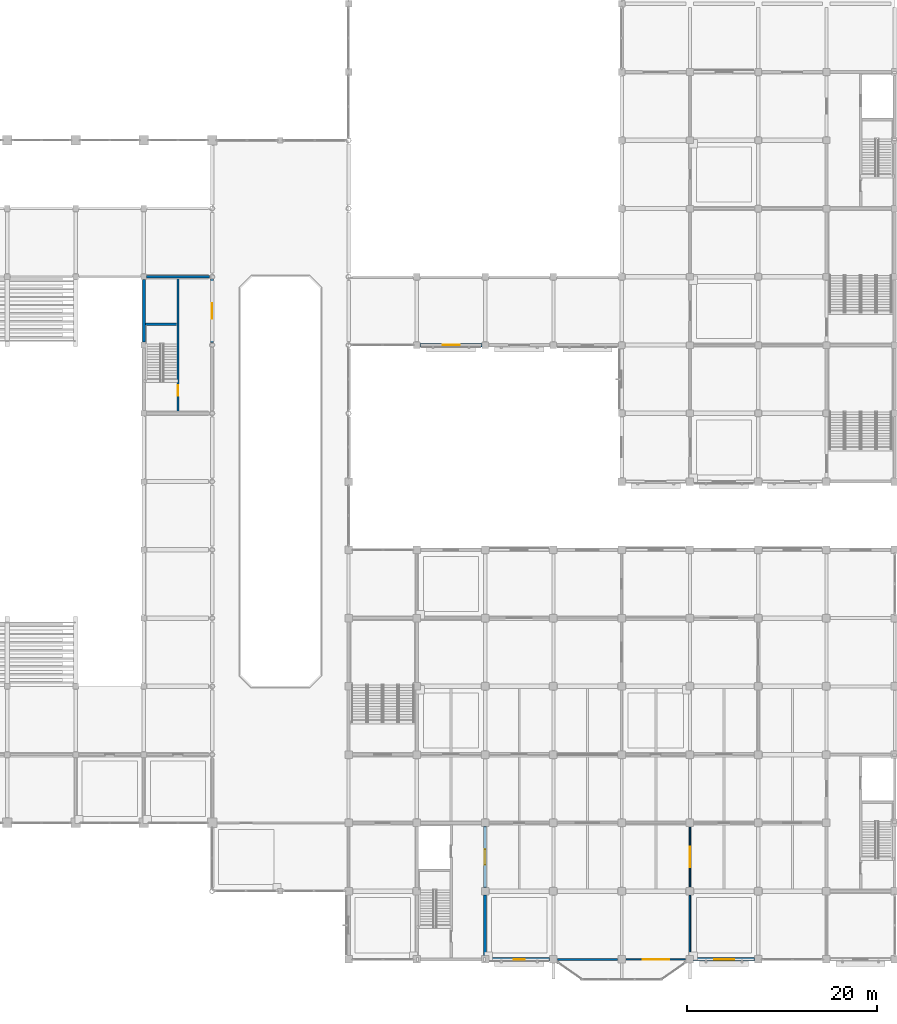
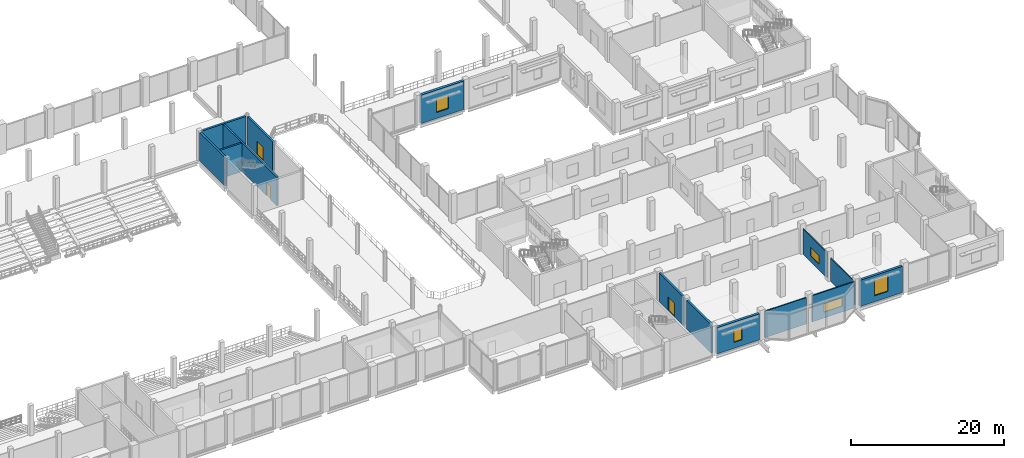
# One storey, part 68 of 99: 14 walls, 5 windows, 3 doors, 8 openings.
"""IFC4 building model written with IfcOpenShell, lengths in metres."""

from ifc_helpers import new_model, si_unit, direction, frame, frame_2d, origin, place, context, subcontext, project, spatial, rectangle, extrude, material, layer, layer_set, type_object, element, fill, save


model = new_model("IFC4")

# Units and contexts
model_context = context("Model", 3, precision=1e-05, world=origin(), true_north=direction((0.0, 1.0)))
body_context = subcontext(model_context, "Body", "Model", "MODEL_VIEW")
ifc_project = project(units=[si_unit("LENGTHUNIT", "METRE"), si_unit("AREAUNIT", "SQUARE_METRE"), si_unit("VOLUMEUNIT", "CUBIC_METRE"), si_unit("PLANEANGLEUNIT", "RADIAN"), si_unit("MASSUNIT", "GRAM", prefix="KILO")], contexts=[model_context])

# Site, building, storey
site_placement = place(None, origin())
site = spatial("IfcSite", under=ifc_project, at=site_placement, CompositionType="ELEMENT")
building_placement = place(site_placement, origin())
building = spatial("IfcBuilding", under=site, at=building_placement, Name="Vesperath Aquatics Centre", CompositionType="ELEMENT")
storey_placement = place(building_placement, frame((0.0, 0.0, 5.39990234375)))
storey = spatial("IfcBuildingStorey", under=building, at=storey_placement, Name="L01", CompositionType="ELEMENT", Elevation=5.39990234375)

# Wall, opening, window
ifc_material_1 = material(Name="Red-terracotta brick insulated cavity wall", Category="masonry")
ifc_layer_1 = layer(ifc_material_1, 0.3798828125)
ifc_layer_set_1 = layer_set([ifc_layer_1], Name="Red-terracotta brick insulated cavity wall")
wall_type_1 = type_object("IfcWallType", Name="WL-EW02", PredefinedType="SOLIDWALL", material=ifc_layer_set_1)
wall_1_placement = place(storey_placement, frame((122.75, 64.800048828125, 0.0), z_axis=(0.0, 0.0, 1.0), x_axis=(1.0, 0.0, 0.0)))
wall_1 = element("IfcWall", 1, at=wall_1_placement, inside=storey, type_object=wall_type_1, Name="Exterior Wall EW02 L01_S_17_09", PredefinedType="SOLIDWALL", context=body_context, shape_type="SweptSolid", body=[
    extrude(rectangle(XDim=6.5, YDim=0.3798828125, at=frame_2d((3.25, 0.0))), origin(), (0.0, 0.0, 1.0), 4.5400390625),
])
opening_1_placement = place(wall_1_placement, frame((2.35009765625, 0.0, 0.949951171875)))
opening_1 = element("IfcOpeningElement", 2, at=opening_1_placement, cuts=wall_1, Name="Opening W03", PredefinedType="OPENING", context=body_context, shape_type="SweptSolid", body=[
    extrude(rectangle(XDim=1.800048828125, YDim=2.199951171875, at=frame_2d((0.89990234375, 1.10009765625))), frame((0.0, 0.204833984375, 0.0), z_axis=(0.0, -1.0, 0.0), x_axis=(1.0, 0.0, 0.0)), (0.0, 0.0, 1.0), 0.40966796875),
])
ifc_material_2 = material(Name="Thermally broken aluminium triple-glazed window", Category="aluminium")
window_type_1 = type_object("IfcWindowType", Name="WN-W03", PartitioningType="SINGLE_PANEL", PredefinedType="WINDOW", material=ifc_material_2)
window_1_placement = place(opening_1_placement, origin())
window_1 = element("IfcWindow", 3, at=window_1_placement, inside=storey, type_object=window_type_1, Name="Deep-Reveal Casement Window W03 L01_S_17_09", OverallHeight=2.199951171875, OverallWidth=1.800048828125, PartitioningType="SINGLE_PANEL", PredefinedType="WINDOW", context=body_context, shape_type="SweptSolid", body=[
    extrude(rectangle(XDim=1.800048828125, YDim=2.199951171875, at=frame_2d((0.89990234375, 1.10009765625))), frame((0.0, 0.030029296875, 0.0), z_axis=(0.0, -1.0, 0.0), x_axis=(1.0, 0.0, 0.0)), (0.0, 0.0, 1.0), 0.06005859375),
])
fill(opening_1, window_1)

ifc_material_3 = material(Name="Glazed majolica and brick insulated cavity wall", Category="masonry")
ifc_layer_2 = layer(ifc_material_3, 0.360107421875)
ifc_layer_set_2 = layer_set([ifc_layer_2], Name="Glazed majolica and brick insulated cavity wall")
wall_type_2 = type_object("IfcWallType", Name="WL-EW03", PredefinedType="SOLIDWALL", material=ifc_layer_set_2)
wall_2_placement = place(storey_placement, frame((130.0, 0.0, 0.0), z_axis=(0.0, 0.0, 1.0), x_axis=(1.0, 0.0, 0.0)))
wall_2 = element("IfcWall", 4, at=wall_2_placement, inside=storey, type_object=wall_type_2, Name="Exterior Wall EW03 L01_S_18_00", PredefinedType="SOLIDWALL", context=body_context, shape_type="SweptSolid", body=[
    extrude(rectangle(XDim=6.39990234375, YDim=0.360107421875, at=frame_2d((3.199951171875, 0.0))), origin(), (0.0, 0.0, 1.0), 4.190185546875),
])
opening_2_placement = place(wall_2_placement, frame((2.60009765625, 0.0, 0.949951171875)))
opening_2 = element("IfcOpeningElement", 5, at=opening_2_placement, cuts=wall_2, Name="Opening W09", PredefinedType="OPENING", context=body_context, shape_type="SweptSolid", body=[
    extrude(rectangle(XDim=1.199951171875, YDim=2.0, at=frame_2d((0.60009765625, 1.0))), frame((0.0, 0.19482421875, 0.0), z_axis=(0.0, -1.0, 0.0), x_axis=(1.0, 0.0, 0.0)), (0.0, 0.0, 1.0), 0.389892578125),
])
window_type_2 = type_object("IfcWindowType", Name="WN-W09", PartitioningType="SINGLE_PANEL", PredefinedType="WINDOW", material=ifc_material_2)
window_2_placement = place(opening_2_placement, origin())
window_2 = element("IfcWindow", 6, at=window_2_placement, inside=storey, type_object=window_type_2, Name="Deep-Reveal Casement Window W09 L01_S_18_00", OverallHeight=2.0, OverallWidth=1.199951171875, PartitioningType="SINGLE_PANEL", PredefinedType="WINDOW", context=body_context, shape_type="SweptSolid", body=[
    extrude(rectangle(XDim=1.199951171875, YDim=2.0, at=frame_2d((0.60009765625, 1.0))), frame((0.0, 0.030029296875, 0.0), z_axis=(0.0, -1.0, 0.0), x_axis=(1.0, 0.0, 0.0)), (0.0, 0.0, 1.0), 0.06005859375),
])
fill(opening_2, window_2)

wall_3_placement = place(storey_placement, frame((151.60009765625, 0.0, 0.0), z_axis=(0.0, 0.0, 1.0), x_axis=(1.0, 0.0, 0.0)))
wall_3 = element("IfcWall", 7, at=wall_3_placement, inside=storey, type_object=wall_type_2, Name="Exterior Wall EW03 L01_S_21_00", PredefinedType="SOLIDWALL", context=body_context, shape_type="SweptSolid", body=[
    extrude(rectangle(XDim=6.39990234375, YDim=0.360107421875, at=frame_2d((3.199951171875, 0.0))), origin(), (0.0, 0.0, 1.0), 4.190185546875),
])
opening_3_placement = place(wall_3_placement, frame((2.14990234375, 0.0, 0.949951171875)))
opening_3 = element("IfcOpeningElement", 8, at=opening_3_placement, cuts=wall_3, Name="Opening W02", PredefinedType="OPENING", context=body_context, shape_type="SweptSolid", body=[
    extrude(rectangle(XDim=2.10009765625, YDim=2.64990234375, at=frame_2d((1.050048828125, 1.324951171875))), frame((0.0, 0.19482421875, 0.0), z_axis=(0.0, -1.0, 0.0), x_axis=(1.0, 0.0, 0.0)), (0.0, 0.0, 1.0), 0.389892578125),
])
window_type_3 = type_object("IfcWindowType", Name="WN-W02", PartitioningType="SINGLE_PANEL", PredefinedType="WINDOW", material=ifc_material_2)
window_3_placement = place(opening_3_placement, origin())
window_3 = element("IfcWindow", 9, at=window_3_placement, inside=storey, type_object=window_type_3, Name="Deep-Reveal Casement Window W02 L01_S_21_00", OverallHeight=2.64990234375, OverallWidth=2.10009765625, PartitioningType="SINGLE_PANEL", PredefinedType="WINDOW", context=body_context, shape_type="SweptSolid", body=[
    extrude(rectangle(XDim=2.10009765625, YDim=2.64990234375, at=frame_2d((1.050048828125, 1.324951171875))), frame((0.0, 0.030029296875, 0.0), z_axis=(0.0, -1.0, 0.0), x_axis=(1.0, 0.0, 0.0)), (0.0, 0.0, 1.0), 0.06005859375),
])
fill(opening_3, window_3)

# Wall
ifc_material_4 = material(Name="Double-stud acoustic studio partition", Category="gypsum")
ifc_layer_3 = layer(ifc_material_4, 0.18505859375)
ifc_layer_set_3 = layer_set([ifc_layer_3], Name="Double-stud acoustic studio partition")
wall_type_3 = type_object("IfcWallType", Name="WL-IW01", PredefinedType="PARTITIONING", material=ifc_layer_set_3)
wall_4_placement = place(storey_placement, frame((137.25, 0.0, 0.0), z_axis=(0.0, 0.0, 1.0), x_axis=(1.0, 0.0, 0.0)))
element("IfcWall", 10, at=wall_4_placement, inside=storey, type_object=wall_type_3, Name="Interior Partition IW01 L01_PHYSIO_1-S1", PredefinedType="PARTITIONING", context=body_context, shape_type="SweptSolid", body=[
    extrude(rectangle(XDim=6.300048828125, YDim=0.18505859375, at=frame_2d((3.14990234375, 0.0))), origin(), (0.0, 0.0, 1.0), 4.190185546875),
])

# Wall, opening, window
ifc_material_5 = material(Name="Moisture-resistant tiled wet partition", Category="gypsum")
ifc_layer_4 = layer(ifc_material_5, 0.175048828125)
ifc_layer_set_4 = layer_set([ifc_layer_4], Name="Moisture-resistant tiled wet partition")
wall_type_4 = type_object("IfcWallType", Name="WL-IW02", PredefinedType="PARTITIONING", material=ifc_layer_set_4)
wall_5_placement = place(storey_placement, frame((144.449951171875, 0.0, 0.0), z_axis=(0.0, 0.0, 1.0), x_axis=(1.0, 0.0, 0.0)))
wall_5 = element("IfcWall", 11, at=wall_5_placement, inside=storey, type_object=wall_type_4, Name="Interior Partition IW02 L01_PHYSIO_1-S2", PredefinedType="PARTITIONING", context=body_context, shape_type="SweptSolid", body=[
    extrude(rectangle(XDim=6.300048828125, YDim=0.175048828125, at=frame_2d((3.14990234375, 0.0))), origin(), (0.0, 0.0, 1.0), 4.190185546875),
])
opening_4_placement = place(wall_5_placement, frame((1.75, 0.0, 0.949951171875)))
opening_4 = element("IfcOpeningElement", 12, at=opening_4_placement, cuts=wall_5, Name="Opening VW05", PredefinedType="OPENING", context=body_context, shape_type="SweptSolid", body=[
    extrude(rectangle(XDim=2.800048828125, YDim=1.35009765625, at=frame_2d((1.39990234375, 0.675048828125))), frame((0.0, 0.1025390625, 0.0), z_axis=(0.0, -1.0, 0.0), x_axis=(1.0, 0.0, 0.0)), (0.0, 0.0, 1.0), 0.204833984375),
])
ifc_material_6 = material(Name="Acoustic laminated interior viewing glazing", Category="glass")
window_type_4 = type_object("IfcWindowType", Name="WN-IW05", PartitioningType="SINGLE_PANEL", PredefinedType="WINDOW", material=ifc_material_6)
window_4_placement = place(opening_4_placement, origin())
window_4 = element("IfcWindow", 13, at=window_4_placement, inside=storey, type_object=window_type_4, Name="Interior Viewing Window VW05 L01_PHYSIO_1", OverallHeight=1.35009765625, OverallWidth=2.800048828125, PartitioningType="SINGLE_PANEL", PredefinedType="WINDOW", context=body_context, shape_type="SweptSolid", body=[
    extrude(rectangle(XDim=2.800048828125, YDim=1.35009765625, at=frame_2d((1.39990234375, 0.675048828125))), frame((0.0, 0.030029296875, 0.0), z_axis=(0.0, -1.0, 0.0), x_axis=(1.0, 0.0, 0.0)), (0.0, 0.0, 1.0), 0.06005859375),
])
fill(opening_4, window_4)

# Wall
ifc_material_7 = material(Name="Classroom acoustic partition", Category="gypsum")
ifc_layer_5 = layer(ifc_material_7, 0.14501953125)
ifc_layer_set_5 = layer_set([ifc_layer_5], Name="Classroom acoustic partition")
wall_type_5 = type_object("IfcWallType", Name="WL-IW06", PredefinedType="PARTITIONING", material=ifc_layer_set_5)
wall_6_placement = place(storey_placement, frame((151.199951171875, 0.449951171875, 0.0), z_axis=(0.0, 0.0, 1.0), x_axis=(0.0, 1.0, 0.0)))
element("IfcWall", 14, at=wall_6_placement, inside=storey, type_object=wall_type_5, Name="Interior Partition IW06 L01_PHYSIO_1-E1", PredefinedType="PARTITIONING", context=body_context, shape_type="SweptSolid", body=[
    extrude(rectangle(XDim=6.300048828125, YDim=0.14501953125, at=frame_2d((3.14990234375, 0.0))), origin(), (0.0, 0.0, 1.0), 3.739990234375),
])

# Wall, opening, window
ifc_material_8 = material(Name="Changing cubicle masonry-backed partition", Category="masonry")
ifc_layer_6 = layer(ifc_material_8, 0.137939453125)
ifc_layer_set_6 = layer_set([ifc_layer_6], Name="Changing cubicle masonry-backed partition")
wall_type_6 = type_object("IfcWallType", Name="WL-IW07", PredefinedType="PARTITIONING", material=ifc_layer_set_6)
wall_7_placement = place(storey_placement, frame((151.199951171875, 7.64990234375, 0.0), z_axis=(0.0, 0.0, 1.0), x_axis=(0.0, 1.0, 0.0)))
wall_7 = element("IfcWall", 15, at=wall_7_placement, inside=storey, type_object=wall_type_6, Name="Interior Partition IW07 L01_PHYSIO_1-E2", PredefinedType="PARTITIONING", context=body_context, shape_type="SweptSolid", body=[
    extrude(rectangle(XDim=6.300048828125, YDim=0.137939453125, at=frame_2d((3.14990234375, 0.0))), origin(), (0.0, 0.0, 1.0), 4.052001953125),
])
opening_5_placement = place(wall_7_placement, frame((2.050048828125, 0.0, 0.949951171875)))
opening_5 = element("IfcOpeningElement", 16, at=opening_5_placement, cuts=wall_7, Name="Opening VW07", PredefinedType="OPENING", context=body_context, shape_type="SweptSolid", body=[
    extrude(rectangle(XDim=2.199951171875, YDim=1.35009765625, at=frame_2d((1.10009765625, 0.675048828125))), frame((0.0, 0.083984375, 0.0), z_axis=(0.0, -1.0, 0.0), x_axis=(1.0, 0.0, 0.0)), (0.0, 0.0, 1.0), 0.167724609375),
])
window_type_5 = type_object("IfcWindowType", Name="WN-IW07", PartitioningType="SINGLE_PANEL", PredefinedType="WINDOW", material=ifc_material_6)
window_5_placement = place(opening_5_placement, origin())
window_5 = element("IfcWindow", 17, at=window_5_placement, inside=storey, type_object=window_type_5, Name="Interior Viewing Window VW07 L01_PHYSIO_1", OverallHeight=1.35009765625, OverallWidth=2.199951171875, PartitioningType="SINGLE_PANEL", PredefinedType="WINDOW", context=body_context, shape_type="SweptSolid", body=[
    extrude(rectangle(XDim=2.199951171875, YDim=1.35009765625, at=frame_2d((1.10009765625, 0.675048828125))), frame((0.0, 0.030029296875, 0.0), z_axis=(0.0, -1.0, 0.0), x_axis=(1.0, 0.0, 0.0)), (0.0, 0.0, 1.0), 0.06005859375),
])
fill(opening_5, window_5)

# Wall
ifc_material_9 = material(Name="Concrete C40", Category="concrete")
ifc_layer_7 = layer(ifc_material_9, 0.300048828125)
ifc_layer_set_7 = layer_set([ifc_layer_7], Name="Concrete C40")
wall_type_7 = type_object("IfcWallType", Name="WL-SW01", PredefinedType="SHEAR", material=ifc_layer_set_7)
wall_8_placement = place(storey_placement, frame((93.89990234375, 72.0, 0.0), z_axis=(0.0, 0.0, 1.0), x_axis=(1.0, 0.0, 0.0)))
element("IfcWall", 18, at=wall_8_placement, inside=storey, type_object=wall_type_7, Name="Core C8 North Shear Wall SW01 L01", PredefinedType="SHEAR", context=body_context, shape_type="SweptSolid", body=[
    extrude(rectangle(XDim=6.64599609375, YDim=0.300048828125, at=frame_2d((3.322998046875, 0.0))), origin(), (0.0, 0.0, 1.0), 4.5400390625),
])

# Wall, opening, door
wall_9_placement = place(storey_placement, frame((100.800048828125, 65.053955078125, 0.0), z_axis=(0.0, 0.0, 1.0), x_axis=(0.0, 1.0, 0.0)))
wall_9 = element("IfcWall", 19, at=wall_9_placement, inside=storey, type_object=wall_type_7, Name="Core C8 East-2 Shear Wall SW01 L01", PredefinedType="SHEAR", context=body_context, shape_type="SweptSolid", body=[
    extrude(rectangle(XDim=6.692138671875, YDim=0.300048828125, at=frame_2d((3.34619140625, 0.0))), origin(), (0.0, 0.0, 1.0), 4.5400390625),
])
opening_6_placement = place(wall_9_placement, frame((2.5458984375, 0.0, 0.0)))
opening_6 = element("IfcOpeningElement", 20, at=opening_6_placement, cuts=wall_9, Name="Opening D02", PredefinedType="OPENING", context=body_context, shape_type="SweptSolid", body=[
    extrude(rectangle(XDim=1.60009765625, YDim=2.199951171875, at=frame_2d((0.800048828125, 1.10009765625))), frame((0.0, 0.1650390625, 0.0), z_axis=(0.0, -1.0, 0.0), x_axis=(1.0, 0.0, 0.0)), (0.0, 0.0, 1.0), 0.329833984375),
])
ifc_material_10 = material(Name="Glazed fire-rated lobby double door", Category="steel")
door_type_1 = type_object("IfcDoorType", Name="DR-FD02", OperationType="DOUBLE_SWING_LEFT", PredefinedType="DOOR", material=ifc_material_10)
door_1_placement = place(opening_6_placement, frame((1.60009765625, 0.0, 0.0), z_axis=(0.0, 0.0, 1.0), x_axis=(-1.0, 0.0, 0.0)))
door_1 = element("IfcDoor", 21, at=door_1_placement, inside=storey, type_object=door_type_1, Name="Core C8 Lobby Fire Door D02 L01", OperationType="DOUBLE_SWING_LEFT", OverallHeight=2.199951171875, OverallWidth=1.60009765625, PredefinedType="DOOR", context=body_context, shape_type="SweptSolid", body=[
    extrude(rectangle(XDim=1.60009765625, YDim=2.199951171875, at=frame_2d((0.800048828125, 1.10009765625))), frame((0.0, 0.02490234375, 0.0), z_axis=(0.0, -1.0, 0.0), x_axis=(1.0, 0.0, 0.0)), (0.0, 0.0, 1.0), 0.050048828125),
])
fill(opening_6, door_1)

# Wall
wall_10_placement = place(storey_placement, frame((129.60009765625, 0.39990234375, 0.0), z_axis=(0.0, 0.0, 1.0), x_axis=(0.0, 1.0, 0.0)))
element("IfcWall", 22, at=wall_10_placement, inside=storey, type_object=wall_type_7, Name="Core C5 East-1 Shear Wall SW01 L01", PredefinedType="SHEAR", context=body_context, shape_type="SweptSolid", body=[
    extrude(rectangle(XDim=6.400146484375, YDim=0.300048828125, at=frame_2d((3.2001953125, 0.0))), origin(), (0.0, 0.0, 1.0), 4.5400390625),
])

# Wall, opening, door
wall_11_placement = place(storey_placement, frame((129.60009765625, 7.60009765625, 0.0), z_axis=(0.0, 0.0, 1.0), x_axis=(0.0, 1.0, 0.0)))
wall_11 = element("IfcWall", 23, at=wall_11_placement, inside=storey, type_object=wall_type_7, Name="Core C5 East-2 Shear Wall SW01 L01", PredefinedType="SHEAR", context=body_context, shape_type="SweptSolid", body=[
    extrude(rectangle(XDim=6.39990234375, YDim=0.300048828125, at=frame_2d((3.199951171875, 0.0))), origin(), (0.0, 0.0, 1.0), 4.5400390625),
])
opening_7_placement = place(wall_11_placement, frame((2.39990234375, 0.0, 0.0)))
opening_7 = element("IfcOpeningElement", 24, at=opening_7_placement, cuts=wall_11, Name="Opening D02", PredefinedType="OPENING", context=body_context, shape_type="SweptSolid", body=[
    extrude(rectangle(XDim=1.60009765625, YDim=2.199951171875, at=frame_2d((0.800048828125, 1.10009765625))), frame((0.0, 0.1650390625, 0.0), z_axis=(0.0, -1.0, 0.0), x_axis=(1.0, 0.0, 0.0)), (0.0, 0.0, 1.0), 0.329833984375),
])
door_2_placement = place(opening_7_placement, frame((1.60009765625, 0.0, 0.0), z_axis=(0.0, 0.0, 1.0), x_axis=(-1.0, 0.0, 0.0)))
door_2 = element("IfcDoor", 25, at=door_2_placement, inside=storey, type_object=door_type_1, Name="Core C5 Lobby Fire Door D02 L01", OperationType="DOUBLE_SWING_LEFT", OverallHeight=2.199951171875, OverallWidth=1.60009765625, PredefinedType="DOOR", context=body_context, shape_type="SweptSolid", body=[
    extrude(rectangle(XDim=1.60009765625, YDim=2.199951171875, at=frame_2d((0.800048828125, 1.10009765625))), frame((0.0, 0.02490234375, 0.0), z_axis=(0.0, -1.0, 0.0), x_axis=(1.0, 0.0, 0.0)), (0.0, 0.0, 1.0), 0.050048828125),
])
fill(opening_7, door_2)

ifc_layer_8 = layer(ifc_material_9, 0.260009765625)
ifc_layer_set_8 = layer_set([ifc_layer_8], Name="Concrete C40")
wall_type_8 = type_object("IfcWallType", Name="WL-SW03", PredefinedType="SHEAR", material=ifc_layer_set_8)
wall_12_placement = place(storey_placement, frame((97.199951171875, 57.800048828125, 0.0), z_axis=(0.0, 0.0, 1.0), x_axis=(0.0, 1.0, 0.0)))
wall_12 = element("IfcWall", 26, at=wall_12_placement, inside=storey, type_object=wall_type_8, Name="Core C8 Spine Shear Wall SW03 L01", PredefinedType="SHEAR", context=body_context, shape_type="SweptSolid", body=[
    extrude(rectangle(XDim=14.0, YDim=0.260009765625, at=frame_2d((7.0, 0.0))), origin(), (0.0, 0.0, 1.0), 4.5400390625),
])
opening_8_placement = place(wall_12_placement, frame((1.64990234375, 0.0, 0.0)))
opening_8 = element("IfcOpeningElement", 27, at=opening_8_placement, cuts=wall_12, Name="Opening D01", PredefinedType="OPENING", context=body_context, shape_type="SweptSolid", body=[
    extrude(rectangle(XDim=1.10009765625, YDim=2.14990234375, at=frame_2d((0.550048828125, 1.074951171875))), frame((0.0, 0.14501953125, 0.0), z_axis=(0.0, -1.0, 0.0), x_axis=(1.0, 0.0, 0.0)), (0.0, 0.0, 1.0), 0.289794921875),
])
ifc_material_11 = material(Name="Steel-faced acoustic fire door", Category="steel")
door_type_2 = type_object("IfcDoorType", Name="DR-FD01", OperationType="NOTDEFINED", PredefinedType="DOOR", material=ifc_material_11)
door_3_placement = place(opening_8_placement, origin())
door_3 = element("IfcDoor", 28, at=door_3_placement, inside=storey, type_object=door_type_2, Name="Stair ST8 Fire Door D01 L01", OperationType="SINGLE_SWING_LEFT", OverallHeight=2.14990234375, OverallWidth=1.10009765625, PredefinedType="DOOR", context=body_context, shape_type="SweptSolid", body=[
    extrude(rectangle(XDim=1.10009765625, YDim=2.14990234375, at=frame_2d((0.550048828125, 1.074951171875))), frame((0.0, 0.02490234375, 0.0), z_axis=(0.0, -1.0, 0.0), x_axis=(1.0, 0.0, 0.0)), (0.0, 0.0, 1.0), 0.050048828125),
])
fill(opening_8, door_3)

# Walls
ifc_layer_9 = layer(ifc_material_9, 0.25)
ifc_layer_set_9 = layer_set([ifc_layer_9], Name="Concrete C40")
wall_type_9 = type_object("IfcWallType", Name="WL-SW04", PredefinedType="SHEAR", material=ifc_layer_set_9)
wall_13_placement = place(storey_placement, frame((93.760009765625, 66.97998046875, 0.0), z_axis=(0.0, 0.0, 1.0), x_axis=(1.0, 0.0, 0.0)))
element("IfcWall", 29, at=wall_13_placement, inside=storey, type_object=wall_type_9, Name="Core C8 Lift Shaft Wall SW04 L01", PredefinedType="SHEAR", context=body_context, shape_type="SweptSolid", body=[
    extrude(rectangle(XDim=3.300048828125, YDim=0.25, at=frame_2d((1.64990234375, 0.0))), origin(), (0.0, 0.0, 1.0), 4.5400390625),
])
ifc_layer_10 = layer(ifc_material_9, 0.31005859375)
ifc_layer_set_10 = layer_set([ifc_layer_10], Name="Concrete C40")
wall_type_10 = type_object("IfcWallType", Name="WL-SW05", PredefinedType="SHEAR", material=ifc_layer_set_10)
wall_14_placement = place(storey_placement, frame((93.60009765625, 65.10009765625, 0.0), z_axis=(0.0, 0.0, 1.0), x_axis=(0.0, 1.0, 0.0)))
element("IfcWall", 30, at=wall_14_placement, inside=storey, type_object=wall_type_10, Name="Core C8 West-2 Shear Wall SW05 L01", PredefinedType="SHEAR", context=body_context, shape_type="SweptSolid", body=[
    extrude(rectangle(XDim=6.599853515625, YDim=0.31005859375, at=frame_2d((3.2998046875, 0.0))), origin(), (0.0, 0.0, 1.0), 4.5400390625),
])

save(model, "model.ifc")
